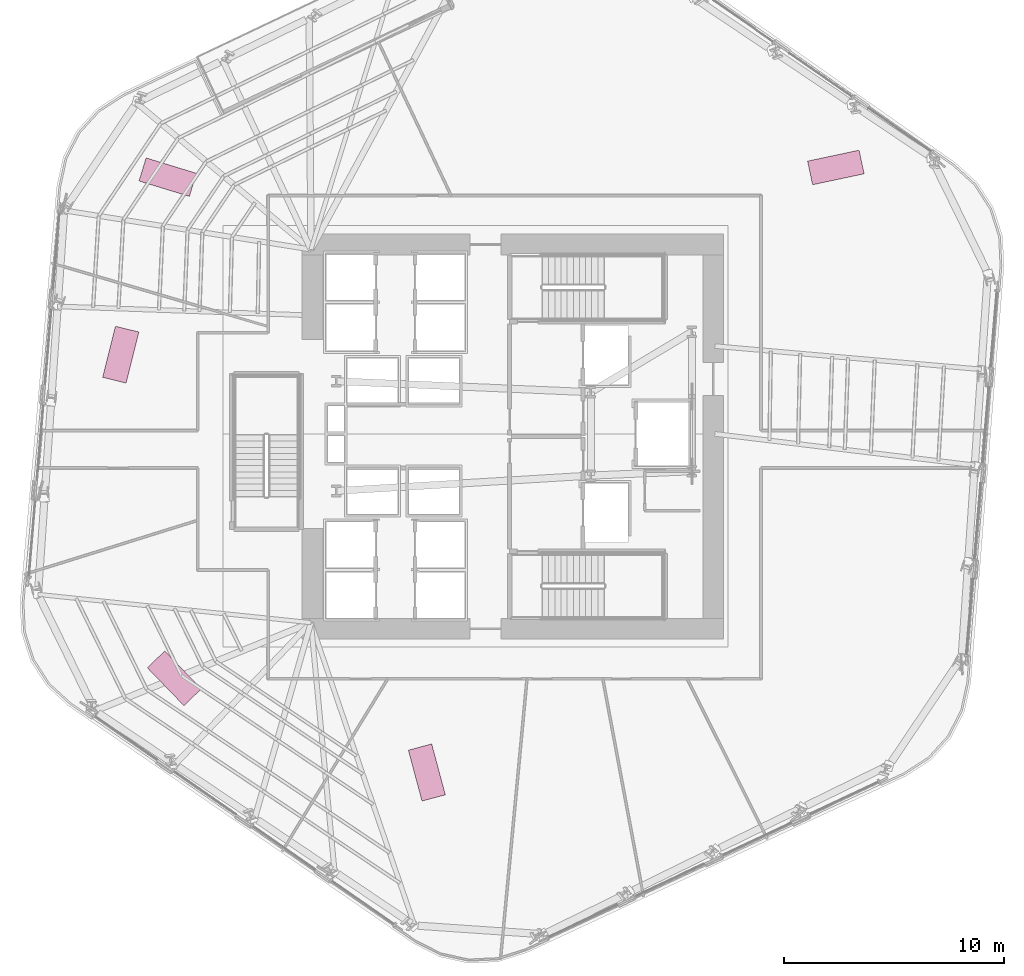
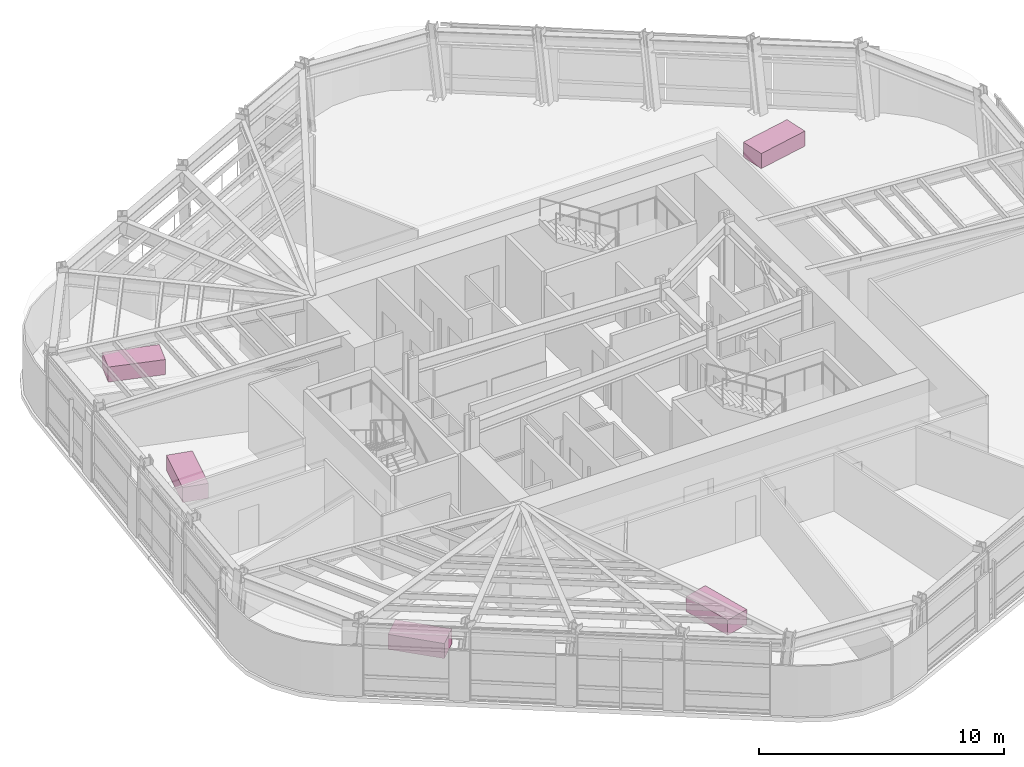
# One storey, part 19 of 19: 5 furniture elements.
"""IFC4 building model written with IfcOpenShell, lengths in metres."""

from ifc_helpers import new_model, si_unit, direction, frame, origin, origin_2d, place, context, subcontext, project, spatial, rectangle, extrude, material, type_object, element, save


model = new_model("IFC4")

# Units and contexts
model_context = context("Model", 3, precision=1e-05, world=origin(), true_north=direction((0.0, 1.0)))
body_context = subcontext(model_context, "Body", "Model", "MODEL_VIEW")
ifc_project = project(units=[si_unit("LENGTHUNIT", "METRE"), si_unit("AREAUNIT", "SQUARE_METRE"), si_unit("VOLUMEUNIT", "CUBIC_METRE"), si_unit("PLANEANGLEUNIT", "RADIAN"), si_unit("MASSUNIT", "GRAM", prefix="KILO")], contexts=[model_context])

# Site, building, storey
site_placement = place(None, origin())
site = spatial("IfcSite", under=ifc_project, at=site_placement, CompositionType="ELEMENT")
building_placement = place(site_placement, origin())
building = spatial("IfcBuilding", under=site, at=building_placement, Name="Valkerne Bourse Tower", CompositionType="ELEMENT")
storey_placement = place(building_placement, frame((0.0, 0.0, 131.39990234375)))
storey = spatial("IfcBuildingStorey", under=building, at=storey_placement, Name="L33", CompositionType="ELEMENT", Elevation=131.39990234375)

# Furniture
ifc_material = material(Name="Architectural White Oak Timber", Category="wood")
furniture_type = type_object("IfcFurnitureType", Name="FURN-DESK-2400", AssemblyPlace="NOTDEFINED", PredefinedType="DESK", material=ifc_material)
for number, where, z_axis, x_axis, name in (
    (1, (28.93701171875, 30.60888671875, 0.045166015625), (0.0, 0.0, 1.0), (0.2419218956, 0.970295726276, 0.0), "L33 Suite Worktable 05"),
    (2, (42.87890625, 11.574951171875, 0.045166015625), (0.0, 0.0, 1.0), (-0.258819045103, 0.965925826289, 0.0), "L33 Suite Worktable 06"),
    (3, (31.3759765625, 15.864990234375, 0.045166015625), (0.0, 0.0, 1.0), (-0.694658370459, 0.719339800339, 0.0), "L33 Suite Worktable 07"),
    (4, (31.075927734375, 38.694091796875, 0.045166015625), (0.0, 0.0, 1.0), (-0.956304755963, 0.292371704723, 0.0), "L33 Suite Worktable 08"),
    (5, (61.510009765625, 39.135986328125, 0.045166015625), (0.0, 0.0, 1.0), (0.978147600734, 0.207911690818, 0.0), "L33 Suite Worktable 09"),
):
    element("IfcFurniture", number, at=place(storey_placement, frame(where, z_axis=z_axis, x_axis=x_axis)), inside=storey, type_object=furniture_type, Name=name, PredefinedType="DESK", context=body_context, shape_type="SweptSolid", body=[
        extrude(rectangle(XDim=2.39990234375, YDim=1.10009765625, at=origin_2d()), origin(), (0.0, 0.0, 1.0), 0.75),
    ])

save(model, "model.ifc")
